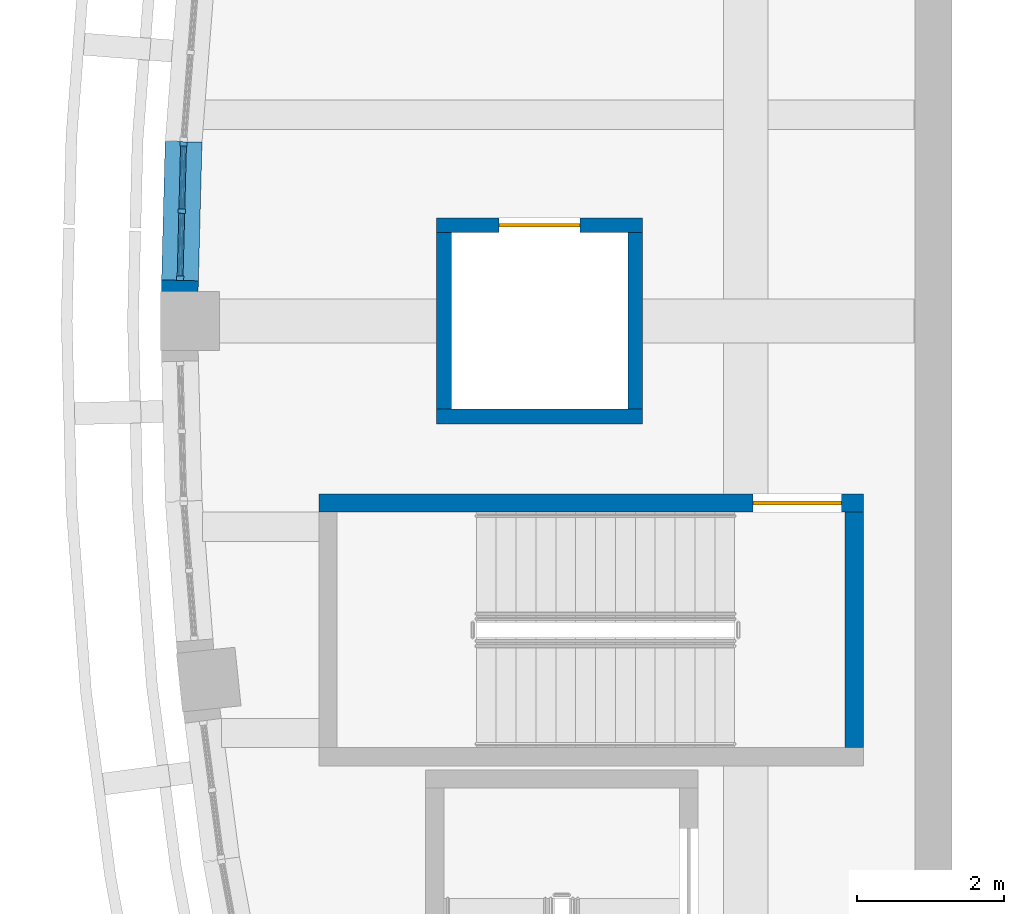
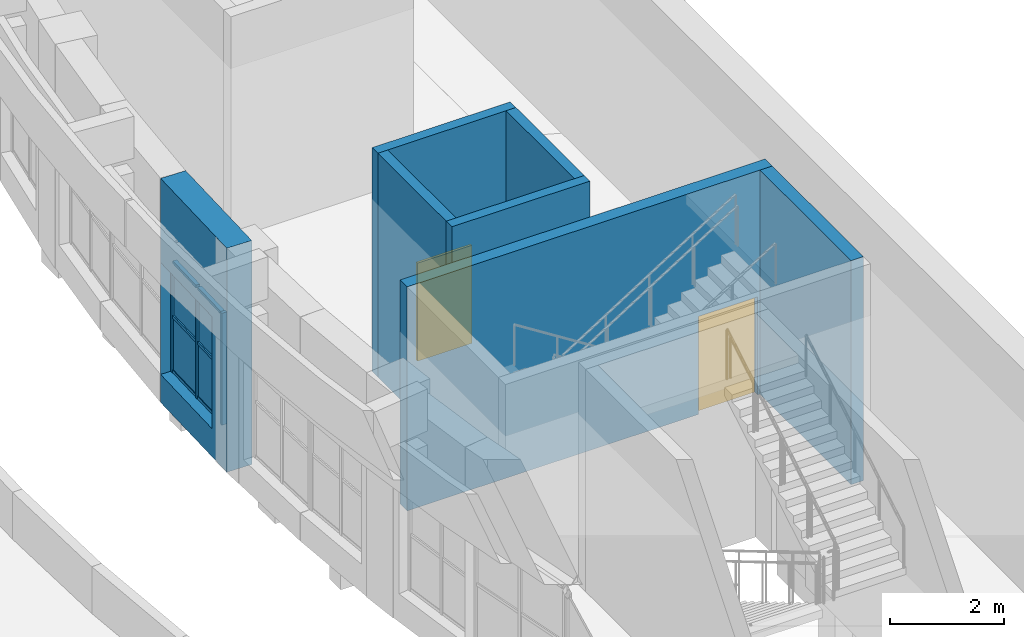
# One storey, part 22 of 79: 9 members, 7 walls, 4 plates, 2 doors, 3 openings, 1 element without a shape of its own.
"""IFC4 building model written with IfcOpenShell, lengths in metres."""

from ifc_helpers import new_model, si_unit, direction, frame, frame_2d, origin, origin_2d, place, context, subcontext, project, spatial, rectangle, extrude, material, layer, layer_set, material_profile, profile_set, type_object, element, fill, aggregate, save


model = new_model("IFC4")

# Units and contexts
model_context = context("Model", 3, precision=1e-05, world=origin(), true_north=direction((0.0, 1.0)))
body_context = subcontext(model_context, "Body", "Model", "MODEL_VIEW")
ifc_project = project(units=[si_unit("LENGTHUNIT", "METRE"), si_unit("AREAUNIT", "SQUARE_METRE"), si_unit("VOLUMEUNIT", "CUBIC_METRE"), si_unit("PLANEANGLEUNIT", "RADIAN"), si_unit("MASSUNIT", "GRAM", prefix="KILO")], contexts=[model_context])

# Site, building, storey
site_placement = place(None, origin())
site = spatial("IfcSite", under=ifc_project, at=site_placement, CompositionType="ELEMENT")
building_placement = place(site_placement, origin())
building = spatial("IfcBuilding", under=site, at=building_placement, Name="Larchfold Concert Hall", CompositionType="ELEMENT")
storey_placement = place(building_placement, frame((0.0, 0.0, 14.39990234375)))
storey = spatial("IfcBuildingStorey", under=building, at=storey_placement, Name="L03", CompositionType="ELEMENT", Elevation=14.39990234375)

# Curtain wall, members, plates
ifc_material_1 = material(Name="Anodised graphite aluminium curtain wall", Category="aluminium")
ifc_layer_1 = layer(ifc_material_1, 0.10009765625)
ifc_layer_set_1 = layer_set([ifc_layer_1], Name="Anodised graphite aluminium curtain wall")
curtain_wall_type = type_object("IfcCurtainWallType", Name="Curtain wall GB", PredefinedType="NOTDEFINED", material=ifc_layer_set_1)
curtain_wall_placement = place(storey_placement, origin())
curtain_wall = element("IfcCurtainWall", 1, at=curtain_wall_placement, inside=storey, type_object=curtain_wall_type, Name="Curtain wall CW0038", PredefinedType="NOTDEFINED")
ifc_material_2 = material(Name="Anodised graphite aluminium mullion", Category="aluminium")
ifc_material_profile_1 = material_profile(ifc_material_2, rectangle(XDim=0.10009765625, YDim=0.06005859375, at=origin_2d()))
ifc_profile_set_1 = profile_set([ifc_material_profile_1], Name="Anodised graphite aluminium mullion")
member_type_1 = type_object("IfcMemberType", Name="Aluminium mullion 60x100", PredefinedType="MULLION", material=ifc_profile_set_1)
member_1_placement = place(storey_placement, frame((18.162109375, 87.003173828125, 0.60009765625), z_axis=(0.0, 0.0, 1.0), x_axis=(0.999667330682, -0.025792013649, 0.0)))
member_1 = element("IfcMember", 2, at=member_1_placement, type_object=member_type_1, Name="CW0038 mullion 1", PredefinedType="MULLION", context=body_context, shape_type="SweptSolid", body=[
    extrude(rectangle(XDim=0.10009765625, YDim=0.06005859375, at=origin_2d()), origin(), (0.0, 0.0, 1.0), 2.39990234375),
])
member_2_placement = place(storey_placement, frame((18.138671875, 86.091796875, 0.60009765625), z_axis=(0.0, 0.0, 1.0), x_axis=(0.999667330682, -0.025792013649, 0.0)))
member_2 = element("IfcMember", 3, at=member_2_placement, type_object=member_type_1, Name="CW0038 mullion 2", PredefinedType="MULLION", context=body_context, shape_type="SweptSolid", body=[
    extrude(rectangle(XDim=0.10009765625, YDim=0.06005859375, at=origin_2d()), origin(), (0.0, 0.0, 1.0), 2.39990234375),
])
member_3_placement = place(storey_placement, frame((18.114990234375, 85.18017578125, 0.60009765625), z_axis=(0.0, 0.0, 1.0), x_axis=(0.999667330682, -0.025792013649, 0.0)))
member_3 = element("IfcMember", 4, at=member_3_placement, type_object=member_type_1, Name="CW0038 mullion 3", PredefinedType="MULLION", context=body_context, shape_type="SweptSolid", body=[
    extrude(rectangle(XDim=0.10009765625, YDim=0.06005859375, at=origin_2d()), origin(), (0.0, 0.0, 1.0), 2.39990234375),
])
ifc_material_3 = material(Name="Anodised graphite aluminium transom", Category="aluminium")
ifc_material_profile_2 = material_profile(ifc_material_3, rectangle(XDim=0.080078125, YDim=0.06005859375, at=origin_2d()))
ifc_profile_set_2 = profile_set([ifc_material_profile_2], Name="Anodised graphite aluminium transom")
member_type_2 = type_object("IfcMemberType", Name="Aluminium transom 60x80", PredefinedType="USERDEFINED", material=ifc_profile_set_2)
member_4_placement = place(storey_placement, frame((18.161376953125, 86.97314453125, 0.630126953125), z_axis=(-0.025794167076, -0.99966727512, 0.0), x_axis=(0.99966727512, -0.025794167076, 0.0)))
member_4 = element("IfcMember", 5, at=member_4_placement, type_object=member_type_2, Name="CW0038 transom 1.1", ObjectType="TRANSOM", PredefinedType="USERDEFINED", context=body_context, shape_type="SweptSolid", body=[
    extrude(rectangle(XDim=0.080078125, YDim=0.06005859375, at=origin_2d()), origin(), (0.0, 0.0, 1.0), 0.851806640625),
])
member_5_placement = place(storey_placement, frame((18.161376953125, 86.97314453125, 1.800048828125), z_axis=(-0.025794167076, -0.99966727512, 0.0), x_axis=(0.99966727512, -0.025794167076, 0.0)))
member_5 = element("IfcMember", 6, at=member_5_placement, type_object=member_type_2, Name="CW0038 transom 1.2", ObjectType="TRANSOM", PredefinedType="USERDEFINED", context=body_context, shape_type="SweptSolid", body=[
    extrude(rectangle(XDim=0.080078125, YDim=0.06005859375, at=origin_2d()), origin(), (0.0, 0.0, 1.0), 0.851806640625),
])
member_6_placement = place(storey_placement, frame((18.161376953125, 86.97314453125, 2.969970703125), z_axis=(-0.025794167076, -0.99966727512, 0.0), x_axis=(0.99966727512, -0.025794167076, 0.0)))
member_6 = element("IfcMember", 7, at=member_6_placement, type_object=member_type_2, Name="CW0038 transom 1.3", ObjectType="TRANSOM", PredefinedType="USERDEFINED", context=body_context, shape_type="SweptSolid", body=[
    extrude(rectangle(XDim=0.080078125, YDim=0.06005859375, at=origin_2d()), origin(), (0.0, 0.0, 1.0), 0.851806640625),
])
member_7_placement = place(storey_placement, frame((18.1376953125, 86.061767578125, 0.630126953125), z_axis=(-0.025794167076, -0.99966727512, 0.0), x_axis=(0.99966727512, -0.025794167076, 0.0)))
member_7 = element("IfcMember", 8, at=member_7_placement, type_object=member_type_2, Name="CW0038 transom 2.1", ObjectType="TRANSOM", PredefinedType="USERDEFINED", context=body_context, shape_type="SweptSolid", body=[
    extrude(rectangle(XDim=0.080078125, YDim=0.06005859375, at=origin_2d()), origin(), (0.0, 0.0, 1.0), 0.851806640625),
])
member_8_placement = place(storey_placement, frame((18.1376953125, 86.061767578125, 1.800048828125), z_axis=(-0.025794167076, -0.99966727512, 0.0), x_axis=(0.99966727512, -0.025794167076, 0.0)))
member_8 = element("IfcMember", 9, at=member_8_placement, type_object=member_type_2, Name="CW0038 transom 2.2", ObjectType="TRANSOM", PredefinedType="USERDEFINED", context=body_context, shape_type="SweptSolid", body=[
    extrude(rectangle(XDim=0.080078125, YDim=0.06005859375, at=origin_2d()), origin(), (0.0, 0.0, 1.0), 0.851806640625),
])
member_9_placement = place(storey_placement, frame((18.1376953125, 86.061767578125, 2.969970703125), z_axis=(-0.025794167076, -0.99966727512, 0.0), x_axis=(0.99966727512, -0.025794167076, 0.0)))
member_9 = element("IfcMember", 10, at=member_9_placement, type_object=member_type_2, Name="CW0038 transom 2.3", ObjectType="TRANSOM", PredefinedType="USERDEFINED", context=body_context, shape_type="SweptSolid", body=[
    extrude(rectangle(XDim=0.080078125, YDim=0.06005859375, at=origin_2d()), origin(), (0.0, 0.0, 1.0), 0.851806640625),
])
ifc_material_4 = material(Name="Insulated glazing unit, glass", Category="glass")
ifc_layer_2 = layer(ifc_material_4, 0.02392578125)
ifc_layer_set_2 = layer_set([ifc_layer_2], Name="Insulated glazing unit, glass")
plate_type_1 = type_object("IfcPlateType", Name="Glass panel 24", PredefinedType="CURTAIN_PANEL", material=ifc_layer_set_2)
plate_1_placement = place(storey_placement, frame((18.150390625, 86.54736328125, 1.830078125), z_axis=(0.0, 0.0, 1.0), x_axis=(-0.025792013649, -0.999667330682, 0.0)))
plate_1 = element("IfcPlate", 11, at=plate_1_placement, type_object=plate_type_1, Name="CW0038 panel 1.2", PredefinedType="CURTAIN_PANEL", context=body_context, shape_type="SweptSolid", body=[
    extrude(rectangle(XDim=0.851806640625, YDim=0.02392578125, at=origin_2d()), origin(), (0.0, 0.0, 1.0), 1.10986328125),
])
plate_2_placement = place(storey_placement, frame((18.126708984375, 85.635986328125, 1.830078125), z_axis=(0.0, 0.0, 1.0), x_axis=(-0.025792013649, -0.999667330682, 0.0)))
plate_2 = element("IfcPlate", 12, at=plate_2_placement, type_object=plate_type_1, Name="CW0038 panel 2.2", PredefinedType="CURTAIN_PANEL", context=body_context, shape_type="SweptSolid", body=[
    extrude(rectangle(XDim=0.851806640625, YDim=0.02392578125, at=origin_2d()), origin(), (0.0, 0.0, 1.0), 1.10986328125),
])
ifc_material_5 = material(Name="White insulated panel")
ifc_layer_3 = layer(ifc_material_5, 0.050048828125)
ifc_layer_set_3 = layer_set([ifc_layer_3], Name="White insulated panel")
plate_type_2 = type_object("IfcPlateType", Name="Insulated spandrel panel 50", PredefinedType="CURTAIN_PANEL", material=ifc_layer_set_3)
plate_3_placement = place(storey_placement, frame((18.150390625, 86.54736328125, 0.66015625), z_axis=(0.0, 0.0, 1.0), x_axis=(-0.025792013649, -0.999667330682, 0.0)))
plate_3 = element("IfcPlate", 13, at=plate_3_placement, type_object=plate_type_2, Name="CW0038 panel 1.1", PredefinedType="CURTAIN_PANEL", context=body_context, shape_type="SweptSolid", body=[
    extrude(rectangle(XDim=0.851806640625, YDim=0.050048828125, at=origin_2d()), origin(), (0.0, 0.0, 1.0), 1.10986328125),
])
plate_4_placement = place(storey_placement, frame((18.126708984375, 85.635986328125, 0.66015625), z_axis=(0.0, 0.0, 1.0), x_axis=(-0.025792013649, -0.999667330682, 0.0)))
plate_4 = element("IfcPlate", 14, at=plate_4_placement, type_object=plate_type_2, Name="CW0038 panel 2.1", PredefinedType="CURTAIN_PANEL", context=body_context, shape_type="SweptSolid", body=[
    extrude(rectangle(XDim=0.851806640625, YDim=0.050048828125, at=origin_2d()), origin(), (0.0, 0.0, 1.0), 1.10986328125),
])
aggregate(curtain_wall, [member_1, member_2, member_3, member_4, member_5, member_6, plate_3, plate_1, member_7, member_8, member_9, plate_4, plate_2])

# Wall
ifc_material_6 = material(Name="Concrete C40/50", Category="concrete")
ifc_layer_4 = layer(ifc_material_6, 0.199951171875)
ifc_layer_set_4 = layer_set([ifc_layer_4], Name="Concrete C40/50")
wall_type_1 = type_object("IfcWallType", Name="Wall RC 200 lift shaft", PredefinedType="SOLIDWALL", material=ifc_layer_set_4)
wall_1_placement = place(storey_placement, frame((21.60009765625, 83.300048828125, 0.0), z_axis=(0.0, 0.0, 1.0), x_axis=(1.0, 0.0, 0.0)))
element("IfcWall", 15, at=wall_1_placement, inside=storey, type_object=wall_type_1, Name="Wall W0122", PredefinedType="SOLIDWALL", context=body_context, shape_type="SweptSolid", body=[
    extrude(rectangle(XDim=2.7998046875, YDim=0.199951171875, at=frame_2d((1.39990234375, 0.0))), origin(), (0.0, 0.0, 1.0), 4.800048828125),
])

# Wall, opening, door
wall_2_placement = place(storey_placement, frame((21.60009765625, 85.89990234375, 0.0), z_axis=(0.0, 0.0, 1.0), x_axis=(1.0, 0.0, 0.0)))
wall_2 = element("IfcWall", 16, at=wall_2_placement, inside=storey, type_object=wall_type_1, Name="Wall W0123", PredefinedType="SOLIDWALL", context=body_context, shape_type="SweptSolid", body=[
    extrude(rectangle(XDim=2.7998046875, YDim=0.199951171875, at=frame_2d((1.39990234375, 0.0))), origin(), (0.0, 0.0, 1.0), 4.800048828125),
])
opening_1_placement = place(wall_2_placement, frame((0.849853515625, 0.0, 0.0)))
opening_1 = element("IfcOpeningElement", 17, at=opening_1_placement, cuts=wall_2, Name="Opening LD-LF04", PredefinedType="OPENING", context=body_context, shape_type="SweptSolid", body=[
    extrude(rectangle(XDim=1.10009765625, YDim=2.10009765625, at=frame_2d((0.550048828125, 1.050048828125))), frame((0.0, 0.10986328125, 0.0), z_axis=(0.0, -1.0, 0.0), x_axis=(1.0, 0.0, 0.0)), (0.0, 0.0, 1.0), 0.219970703125),
])
ifc_material_7 = material(Name="Stainless steel sliding leaves", Category="steel")
door_type_1 = type_object("IfcDoorType", Name="Lift landing door sliding 1100 x 2100", OperationType="SLIDING_TO_LEFT", PredefinedType="DOOR", material=ifc_material_7)
door_1_placement = place(opening_1_placement, origin())
door_1 = element("IfcDoor", 18, at=door_1_placement, inside=storey, type_object=door_type_1, Name="Lift landing door LF04", OperationType="SLIDING_TO_LEFT", OverallHeight=2.10009765625, OverallWidth=1.10009765625, PredefinedType="DOOR", context=body_context, shape_type="SweptSolid", body=[
    extrude(rectangle(XDim=1.10009765625, YDim=2.10009765625, at=frame_2d((0.550048828125, 1.050048828125))), frame((0.0, 0.02490234375, 0.0), z_axis=(0.0, -1.0, 0.0), x_axis=(1.0, 0.0, 0.0)), (0.0, 0.0, 1.0), 0.050048828125),
])
fill(opening_1, door_1)

# Walls
for number, where, z_axis, x_axis, name in (
    (19, (21.7001953125, 83.39990234375, 0.0), (0.0, 0.0, 1.0), (0.0, 1.0, 0.0), "Wall W0124"),
    (20, (24.2998046875, 83.39990234375, 0.0), (0.0, 0.0, 1.0), (0.0, 1.0, 0.0), "Wall W0125"),
):
    element("IfcWall", number, at=place(storey_placement, frame(where, z_axis=z_axis, x_axis=x_axis)), inside=storey, type_object=wall_type_1, Name=name, PredefinedType="SOLIDWALL", context=body_context, shape_type="SweptSolid", body=[
        extrude(rectangle(XDim=2.400146484375, YDim=0.199951171875, at=frame_2d((1.2001953125, 0.0))), origin(), (0.0, 0.0, 1.0), 4.800048828125),
    ])

# Wall, opening, door
ifc_material_8 = material(Name="Concrete C40/50", Category="concrete")
ifc_layer_5 = layer(ifc_material_8, 0.25)
ifc_layer_set_5 = layer_set([ifc_layer_5], Name="Concrete C40/50")
wall_type_2 = type_object("IfcWallType", Name="Wall RC 250 stair core", PredefinedType="SOLIDWALL", material=ifc_layer_set_5)
wall_3_placement = place(storey_placement, frame((20.0, 82.125, 0.0), z_axis=(0.0, 0.0, 1.0), x_axis=(1.0, 0.0, 0.0)))
wall_3 = element("IfcWall", 21, at=wall_3_placement, inside=storey, type_object=wall_type_2, Name="Wall W0055", PredefinedType="SOLIDWALL", context=body_context, shape_type="SweptSolid", body=[
    extrude(rectangle(XDim=7.39990234375, YDim=0.25, at=frame_2d((3.699951171875, 0.0))), origin(), (0.0, 0.0, 1.0), 4.800048828125),
])
opening_2_placement = place(wall_3_placement, frame((5.89990234375, 0.0, 0.0)))
opening_2 = element("IfcOpeningElement", 22, at=opening_2_placement, cuts=wall_3, Name="Opening D-L03-131", PredefinedType="OPENING", context=body_context, shape_type="SweptSolid", body=[
    extrude(rectangle(XDim=1.199951171875, YDim=2.10009765625, at=frame_2d((0.60009765625, 1.050048828125))), frame((0.0, 0.135009765625, 0.0), z_axis=(0.0, -1.0, 0.0), x_axis=(1.0, 0.0, 0.0)), (0.0, 0.0, 1.0), 0.27001953125),
])
ifc_material_9 = material(Name="Timber door leaf", Category="wood")
door_type_2 = type_object("IfcDoorType", Name="Stair enclosure door pair 1200 x 2100 FD60", OperationType="SINGLE_SWING_LEFT", PredefinedType="DOOR", material=ifc_material_9)
door_2_placement = place(opening_2_placement, origin())
door_2 = element("IfcDoor", 23, at=door_2_placement, inside=storey, type_object=door_type_2, Name="Door D-L03-131", OperationType="DOUBLE_DOOR_SINGLE_SWING", OverallHeight=2.10009765625, OverallWidth=1.199951171875, PredefinedType="DOOR", context=body_context, shape_type="SweptSolid", body=[
    extrude(rectangle(XDim=1.199951171875, YDim=2.10009765625, at=frame_2d((0.60009765625, 1.050048828125))), frame((0.0, 0.02490234375, 0.0), z_axis=(0.0, -1.0, 0.0), x_axis=(1.0, 0.0, 0.0)), (0.0, 0.0, 1.0), 0.050048828125),
])
fill(opening_2, door_2)

# Wall
wall_4_placement = place(storey_placement, frame((27.27490234375, 78.800048828125, 0.0), z_axis=(0.0, 0.0, 1.0), x_axis=(0.0, 1.0, 0.0)))
element("IfcWall", 24, at=wall_4_placement, inside=storey, type_object=wall_type_2, Name="Wall W0057", PredefinedType="SOLIDWALL", context=body_context, shape_type="SweptSolid", body=[
    extrude(rectangle(XDim=3.199951171875, YDim=0.25, at=frame_2d((1.60009765625, 0.0))), origin(), (0.0, 0.0, 1.0), 4.800048828125),
])

# Wall, opening
ifc_material_10 = material(Name="Concrete C30/37", Category="concrete")
ifc_layer_6 = layer(ifc_material_10, 0.5)
ifc_layer_set_6 = layer_set([ifc_layer_6], Name="Concrete C30/37")
wall_type_3 = type_object("IfcWallType", Name="Wall RC 500 drum facade", PredefinedType="SOLIDWALL", material=ifc_layer_set_6)
wall_5_placement = place(storey_placement, frame((18.162841796875, 87.033203125, 0.0), z_axis=(0.0, 0.0, 1.0), x_axis=(-0.025779107921, -0.999667663574, 0.0)))
wall_5 = element("IfcWall", 25, at=wall_5_placement, inside=storey, type_object=wall_type_3, Name="Wall DW038", PredefinedType="SOLIDWALL", context=body_context, shape_type="SweptSolid", body=[
    extrude(rectangle(XDim=2.433837890625, YDim=0.5, at=frame_2d((1.216796875, 0.0))), origin(), (0.0, 0.0, 1.0), 4.800048828125),
])
opening_3_placement = place(wall_5_placement, frame((0.0, 0.0, 0.60009765625)))
opening_3 = element("IfcOpeningElement", 26, at=opening_3_placement, cuts=wall_5, Name="Opening CW0038", PredefinedType="OPENING", context=body_context, shape_type="SweptSolid", body=[
    extrude(rectangle(XDim=1.8837890625, YDim=2.39990234375, at=frame_2d((0.94189453125, 1.199951171875))), frame((0.0, 0.260009765625, 0.0), z_axis=(0.0, -1.0, 0.0), x_axis=(1.0, 0.0, 0.0)), (0.0, 0.0, 1.0), 0.52001953125),
])

fill(opening_3, curtain_wall)

save(model, "model.ifc")
